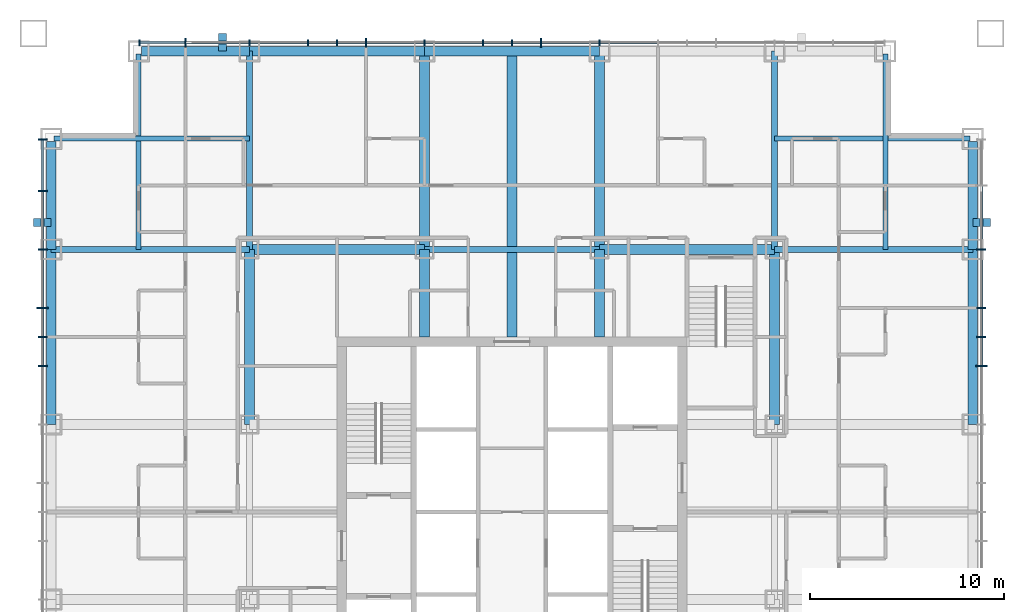
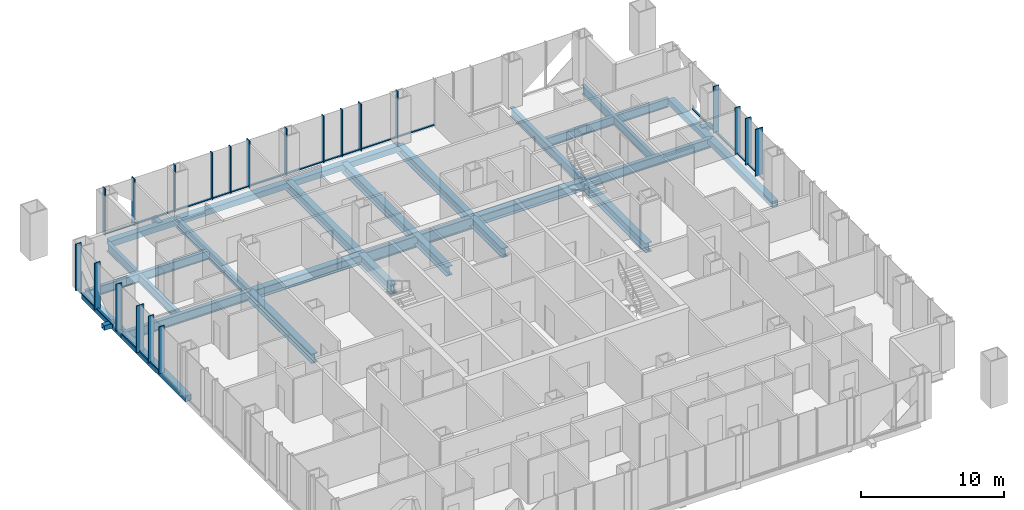
# One storey, part 5 of 18: 44 members, 25 beams, 3 elements without a shape of their own.
"""IFC4 building model written with IfcOpenShell, lengths in metres."""

from ifc_helpers import new_model, si_unit, direction, frame, origin, origin_2d, place, context, subcontext, project, spatial, rectangle, hollow_rectangle, i_section, extrude, material, layer, layer_set, material_profile, profile_set, type_object, element, aggregate, save


model = new_model("IFC4")

# Units and contexts
model_context = context("Model", 3, precision=1e-05, world=origin(), true_north=direction((0.0, 1.0)))
body_context = subcontext(model_context, "Body", "Model", "MODEL_VIEW")
ifc_project = project(units=[si_unit("LENGTHUNIT", "METRE"), si_unit("AREAUNIT", "SQUARE_METRE"), si_unit("VOLUMEUNIT", "CUBIC_METRE"), si_unit("PLANEANGLEUNIT", "RADIAN"), si_unit("MASSUNIT", "GRAM", prefix="KILO")], contexts=[model_context])

# Site, building, storey
site_placement = place(None, origin())
site = spatial("IfcSite", under=ifc_project, at=site_placement, CompositionType="ELEMENT")
building_placement = place(site_placement, origin())
building = spatial("IfcBuilding", under=site, at=building_placement, Name="Malebo Sky Hospital", CompositionType="ELEMENT")
storey_placement = place(building_placement, frame((0.0, 0.0, 132.0)))
storey = spatial("IfcBuildingStorey", under=building, at=storey_placement, Name="L31", CompositionType="ELEMENT", Elevation=132.0)

# Curtain wall, members
ifc_material_1 = material(Name="Anodised aluminium, natural silver", Category="aluminium")
ifc_layer_1 = layer(ifc_material_1, 0.25)
ifc_layer_set_1 = layer_set([ifc_layer_1], Name="WARD CURTAIN WALL NORTH AND SOUTH")
curtain_wall_type_1 = type_object("IfcCurtainWallType", Name="WARD CURTAIN WALL NORTH AND SOUTH", PredefinedType="NOTDEFINED", material=ifc_layer_set_1)
curtain_wall_1_placement = place(storey_placement, origin())
curtain_wall_1 = element("IfcCurtainWall", 1, at=curtain_wall_1_placement, inside=storey, type_object=curtain_wall_type_1, Name="NS curtain wall N", PredefinedType="NOTDEFINED")
ifc_material_profile_1 = material_profile(ifc_material_1, rectangle(XDim=0.14990234375, YDim=0.10009765625, at=origin_2d()), Name="ALUMINIUM TRANSOM 150x100")
ifc_profile_set_1 = profile_set([ifc_material_profile_1], Name="Anodised aluminium, natural silver")
member_type_1 = type_object("IfcMemberType", Name="ALUMINIUM TRANSOM 150x100", PredefinedType="USERDEFINED", material=ifc_profile_set_1)
member_1_placement = place(storey_placement, frame((40.875, 86.135009765625, 0.050048828125), z_axis=(1.0, 0.0, 0.0), x_axis=(0.0, 1.0, 0.0)))
member_1 = element("IfcMember", 2, at=member_1_placement, type_object=member_type_1, Name="Transom 1", ObjectType="TRANSOM", PredefinedType="USERDEFINED", context=body_context, shape_type="SweptSolid", body=[
    extrude(rectangle(XDim=0.14990234375, YDim=0.10009765625, at=origin_2d()), origin(), (0.0, 0.0, 1.0), 2.28759765625),
])
member_2_placement = place(storey_placement, frame((43.237548828125, 86.135009765625, 0.050048828125), z_axis=(1.0, 0.0, 0.0), x_axis=(0.0, 1.0, 0.0)))
member_2 = element("IfcMember", 3, at=member_2_placement, type_object=member_type_1, Name="Transom 2", ObjectType="TRANSOM", PredefinedType="USERDEFINED", context=body_context, shape_type="SweptSolid", body=[
    extrude(rectangle(XDim=0.14990234375, YDim=0.10009765625, at=origin_2d()), origin(), (0.0, 0.0, 1.0), 3.224853515625),
])
member_3_placement = place(storey_placement, frame((46.53759765625, 86.135009765625, 0.050048828125), z_axis=(1.0, 0.0, 0.0), x_axis=(0.0, 1.0, 0.0)))
member_3 = element("IfcMember", 4, at=member_3_placement, type_object=member_type_1, Name="Transom 3", ObjectType="TRANSOM", PredefinedType="USERDEFINED", context=body_context, shape_type="SweptSolid", body=[
    extrude(rectangle(XDim=0.14990234375, YDim=0.10009765625, at=origin_2d()), origin(), (0.0, 0.0, 1.0), 2.9248046875),
])
member_4_placement = place(storey_placement, frame((49.53759765625, 86.135009765625, 0.050048828125), z_axis=(1.0, 0.0, 0.0), x_axis=(0.0, 1.0, 0.0)))
member_4 = element("IfcMember", 5, at=member_4_placement, type_object=member_type_1, Name="Transom 4", ObjectType="TRANSOM", PredefinedType="USERDEFINED", context=body_context, shape_type="SweptSolid", body=[
    extrude(rectangle(XDim=0.14990234375, YDim=0.10009765625, at=origin_2d()), origin(), (0.0, 0.0, 1.0), 1.4248046875),
])
member_5_placement = place(storey_placement, frame((51.03759765625, 86.135009765625, 0.050048828125), z_axis=(1.0, 0.0, 0.0), x_axis=(0.0, 1.0, 0.0)))
member_5 = element("IfcMember", 6, at=member_5_placement, type_object=member_type_1, Name="Transom 5", ObjectType="TRANSOM", PredefinedType="USERDEFINED", context=body_context, shape_type="SweptSolid", body=[
    extrude(rectangle(XDim=0.14990234375, YDim=0.10009765625, at=origin_2d()), origin(), (0.0, 0.0, 1.0), 1.4248046875),
])
member_6_placement = place(storey_placement, frame((52.53759765625, 86.135009765625, 0.050048828125), z_axis=(1.0, 0.0, 0.0), x_axis=(0.0, 1.0, 0.0)))
member_6 = element("IfcMember", 7, at=member_6_placement, type_object=member_type_1, Name="Transom 6", ObjectType="TRANSOM", PredefinedType="USERDEFINED", context=body_context, shape_type="SweptSolid", body=[
    extrude(rectangle(XDim=0.14990234375, YDim=0.10009765625, at=origin_2d()), origin(), (0.0, 0.0, 1.0), 2.9248046875),
])
member_7_placement = place(storey_placement, frame((55.53759765625, 86.135009765625, 0.050048828125), z_axis=(1.0, 0.0, 0.0), x_axis=(0.0, 1.0, 0.0)))
member_7 = element("IfcMember", 8, at=member_7_placement, type_object=member_type_1, Name="Transom 7", ObjectType="TRANSOM", PredefinedType="USERDEFINED", context=body_context, shape_type="SweptSolid", body=[
    extrude(rectangle(XDim=0.14990234375, YDim=0.10009765625, at=origin_2d()), origin(), (0.0, 0.0, 1.0), 2.9248046875),
])
member_8_placement = place(storey_placement, frame((58.53759765625, 86.135009765625, 0.050048828125), z_axis=(1.0, 0.0, 0.0), x_axis=(0.0, 1.0, 0.0)))
member_8 = element("IfcMember", 9, at=member_8_placement, type_object=member_type_1, Name="Transom 8", ObjectType="TRANSOM", PredefinedType="USERDEFINED", context=body_context, shape_type="SweptSolid", body=[
    extrude(rectangle(XDim=0.14990234375, YDim=0.10009765625, at=origin_2d()), origin(), (0.0, 0.0, 1.0), 1.4248046875),
])
member_9_placement = place(storey_placement, frame((60.03759765625, 86.135009765625, 0.050048828125), z_axis=(1.0, 0.0, 0.0), x_axis=(0.0, 1.0, 0.0)))
member_9 = element("IfcMember", 10, at=member_9_placement, type_object=member_type_1, Name="Transom 9", ObjectType="TRANSOM", PredefinedType="USERDEFINED", context=body_context, shape_type="SweptSolid", body=[
    extrude(rectangle(XDim=0.14990234375, YDim=0.10009765625, at=origin_2d()), origin(), (0.0, 0.0, 1.0), 1.4248046875),
])
member_10_placement = place(storey_placement, frame((61.53759765625, 86.135009765625, 0.050048828125), z_axis=(1.0, 0.0, 0.0), x_axis=(0.0, 1.0, 0.0)))
member_10 = element("IfcMember", 11, at=member_10_placement, type_object=member_type_1, Name="Transom 10", ObjectType="TRANSOM", PredefinedType="USERDEFINED", context=body_context, shape_type="SweptSolid", body=[
    extrude(rectangle(XDim=0.14990234375, YDim=0.10009765625, at=origin_2d()), origin(), (0.0, 0.0, 1.0), 2.9248046875),
])
member_11_placement = place(storey_placement, frame((64.53759765625, 86.135009765625, 0.050048828125), z_axis=(1.0, 0.0, 0.0), x_axis=(0.0, 1.0, 0.0)))
member_11 = element("IfcMember", 12, at=member_11_placement, type_object=member_type_1, Name="Transom 11", ObjectType="TRANSOM", PredefinedType="USERDEFINED", context=body_context, shape_type="SweptSolid", body=[
    extrude(rectangle(XDim=0.14990234375, YDim=0.10009765625, at=origin_2d()), origin(), (0.0, 0.0, 1.0), 2.9248046875),
])

ifc_layer_2 = layer(ifc_material_1, 0.25)
ifc_layer_set_2 = layer_set([ifc_layer_2], Name="WARD CURTAIN WALL EAST AND WEST")
curtain_wall_type_2 = type_object("IfcCurtainWallType", Name="WARD CURTAIN WALL EAST AND WEST", PredefinedType="NOTDEFINED", material=ifc_layer_set_2)
curtain_wall_2_placement = place(storey_placement, origin())
curtain_wall_2 = element("IfcCurtainWall", 13, at=curtain_wall_2_placement, inside=storey, type_object=curtain_wall_type_2, Name="EW curtain wall W", PredefinedType="NOTDEFINED")
member_12_placement = place(storey_placement, frame((35.864990234375, 69.53759765625, 0.050048828125), z_axis=(0.0, 1.0, 0.0), x_axis=(-1.0, 0.0, 0.0)))
member_12 = element("IfcMember", 14, at=member_12_placement, type_object=member_type_1, Name="Transom 12", ObjectType="TRANSOM", PredefinedType="USERDEFINED", context=body_context, shape_type="SweptSolid", body=[
    extrude(rectangle(XDim=0.14990234375, YDim=0.10009765625, at=origin_2d()), origin(), (0.0, 0.0, 1.0), 1.4248046875),
])
member_13_placement = place(storey_placement, frame((35.864990234375, 71.03759765625, 0.050048828125), z_axis=(0.0, 1.0, 0.0), x_axis=(-1.0, 0.0, 0.0)))
member_13 = element("IfcMember", 15, at=member_13_placement, type_object=member_type_1, Name="Transom 13", ObjectType="TRANSOM", PredefinedType="USERDEFINED", context=body_context, shape_type="SweptSolid", body=[
    extrude(rectangle(XDim=0.14990234375, YDim=0.10009765625, at=origin_2d()), origin(), (0.0, 0.0, 1.0), 1.4248046875),
])
member_14_placement = place(storey_placement, frame((35.864990234375, 72.53759765625, 0.050048828125), z_axis=(0.0, 1.0, 0.0), x_axis=(-1.0, 0.0, 0.0)))
member_14 = element("IfcMember", 16, at=member_14_placement, type_object=member_type_1, Name="Transom 14", ObjectType="TRANSOM", PredefinedType="USERDEFINED", context=body_context, shape_type="SweptSolid", body=[
    extrude(rectangle(XDim=0.14990234375, YDim=0.10009765625, at=origin_2d()), origin(), (0.0, 0.0, 1.0), 2.9248046875),
])
member_15_placement = place(storey_placement, frame((35.864990234375, 75.53759765625, 0.050048828125), z_axis=(0.0, 1.0, 0.0), x_axis=(-1.0, 0.0, 0.0)))
member_15 = element("IfcMember", 17, at=member_15_placement, type_object=member_type_1, Name="Transom 15", ObjectType="TRANSOM", PredefinedType="USERDEFINED", context=body_context, shape_type="SweptSolid", body=[
    extrude(rectangle(XDim=0.14990234375, YDim=0.10009765625, at=origin_2d()), origin(), (0.0, 0.0, 1.0), 2.9248046875),
])
member_16_placement = place(storey_placement, frame((35.864990234375, 78.53759765625, 0.050048828125), z_axis=(0.0, 1.0, 0.0), x_axis=(-1.0, 0.0, 0.0)))
member_16 = element("IfcMember", 18, at=member_16_placement, type_object=member_type_1, Name="Transom 16", ObjectType="TRANSOM", PredefinedType="USERDEFINED", context=body_context, shape_type="SweptSolid", body=[
    extrude(rectangle(XDim=0.14990234375, YDim=0.10009765625, at=origin_2d()), origin(), (0.0, 0.0, 1.0), 2.58740234375),
])

curtain_wall_3_placement = place(storey_placement, origin())
curtain_wall_3 = element("IfcCurtainWall", 19, at=curtain_wall_3_placement, inside=storey, type_object=curtain_wall_type_2, Name="EW curtain wall E", PredefinedType="NOTDEFINED")
member_17_placement = place(storey_placement, frame((84.135009765625, 78.762451171875, 0.050048828125), z_axis=(0.0, -1.0, 0.0), x_axis=(1.0, 0.0, 0.0)))
member_17 = element("IfcMember", 20, at=member_17_placement, type_object=member_type_1, Name="Transom 2", ObjectType="TRANSOM", PredefinedType="USERDEFINED", context=body_context, shape_type="SweptSolid", body=[
    extrude(rectangle(XDim=0.14990234375, YDim=0.10009765625, at=origin_2d()), origin(), (0.0, 0.0, 1.0), 3.224853515625),
])
member_18_placement = place(storey_placement, frame((84.135009765625, 75.46240234375, 0.050048828125), z_axis=(0.0, -1.0, 0.0), x_axis=(1.0, 0.0, 0.0)))
member_18 = element("IfcMember", 21, at=member_18_placement, type_object=member_type_1, Name="Transom 3", ObjectType="TRANSOM", PredefinedType="USERDEFINED", context=body_context, shape_type="SweptSolid", body=[
    extrude(rectangle(XDim=0.14990234375, YDim=0.10009765625, at=origin_2d()), origin(), (0.0, 0.0, 1.0), 2.9248046875),
])
member_19_placement = place(storey_placement, frame((84.135009765625, 72.46240234375, 0.050048828125), z_axis=(0.0, -1.0, 0.0), x_axis=(1.0, 0.0, 0.0)))
member_19 = element("IfcMember", 22, at=member_19_placement, type_object=member_type_1, Name="Transom 4", ObjectType="TRANSOM", PredefinedType="USERDEFINED", context=body_context, shape_type="SweptSolid", body=[
    extrude(rectangle(XDim=0.14990234375, YDim=0.10009765625, at=origin_2d()), origin(), (0.0, 0.0, 1.0), 1.4248046875),
])
member_20_placement = place(storey_placement, frame((84.135009765625, 70.96240234375, 0.050048828125), z_axis=(0.0, -1.0, 0.0), x_axis=(1.0, 0.0, 0.0)))
member_20 = element("IfcMember", 23, at=member_20_placement, type_object=member_type_1, Name="Transom 5", ObjectType="TRANSOM", PredefinedType="USERDEFINED", context=body_context, shape_type="SweptSolid", body=[
    extrude(rectangle(XDim=0.14990234375, YDim=0.10009765625, at=origin_2d()), origin(), (0.0, 0.0, 1.0), 1.4248046875),
])

# Members
ifc_material_2 = material(Name="Steel S355", Category="steel")
ifc_material_profile_2 = material_profile(ifc_material_2, hollow_rectangle(XDim=0.39990234375, YDim=0.39990234375, WallThickness=0.02001953125, at=origin_2d()), Name="SHS 400x20")
ifc_profile_set_2 = profile_set([ifc_material_profile_2], Name="Steel S355")
member_type_2 = type_object("IfcMemberType", Name="BRACE STRUT SHS 400x20", PredefinedType="STRUT", material=ifc_profile_set_2)
for number, where, z_axis, x_axis, name in (
    (24, (45.1064453125, 86.60009765625, -0.39990234375), (0.0, -1.0, 0.0), (1.0, 0.0, 0.0), "Brace strut BN1 L31"),
    (25, (84.60009765625, 76.8935546875, -0.39990234375), (-1.0, 0.0, 0.0), (0.0, -1.0, 0.0), "Brace strut BE1 L31"),
    (26, (35.39990234375, 76.8935546875, -0.39990234375), (1.0, 0.0, 0.0), (0.0, 1.0, 0.0), "Brace strut BW2 L31"),
):
    element("IfcMember", number, at=place(storey_placement, frame(where, z_axis=z_axis, x_axis=x_axis)), inside=storey, type_object=member_type_2, Name=name, PredefinedType="STRUT", context=body_context, shape_type="SweptSolid", body=[
        extrude(hollow_rectangle(XDim=0.39990234375, YDim=0.39990234375, WallThickness=0.02001953125, at=origin_2d()), origin(), (0.0, 0.0, 1.0), 0.900146484375),
    ])

# Member
ifc_material_profile_3 = material_profile(ifc_material_1, rectangle(XDim=0.074951171875, YDim=0.300048828125, at=origin_2d()), Name="CW1 ALUMINIUM FIN MULLION 75x300")
ifc_profile_set_3 = profile_set([ifc_material_profile_3], Name="Anodised aluminium, natural silver")
member_type_3 = type_object("IfcMemberType", Name="CW1 ALUMINIUM FIN MULLION 75x300", PredefinedType="MULLION", material=ifc_profile_set_3)
member_21_placement = place(storey_placement, frame((40.83740234375, 86.135009765625, 0.0), z_axis=(0.0, 0.0, 1.0), x_axis=(1.0, 0.0, 0.0)))
member_21 = element("IfcMember", 27, at=member_21_placement, type_object=member_type_3, Name="Fin mullion 1", PredefinedType="MULLION", context=body_context, shape_type="SweptSolid", body=[
    extrude(rectangle(XDim=0.074951171875, YDim=0.300048828125, at=origin_2d()), origin(), (0.0, 0.0, 1.0), 4.0),
])

member_22_placement = place(storey_placement, frame((46.5, 86.135009765625, 0.0), z_axis=(0.0, 0.0, 1.0), x_axis=(1.0, 0.0, 0.0)))
member_22 = element("IfcMember", 28, at=member_22_placement, type_object=member_type_3, Name="Fin mullion 3", PredefinedType="MULLION", context=body_context, shape_type="SweptSolid", body=[
    extrude(rectangle(XDim=0.074951171875, YDim=0.300048828125, at=origin_2d()), origin(), (0.0, 0.0, 1.0), 4.0),
])

member_23_placement = place(storey_placement, frame((49.5, 86.135009765625, 0.0), z_axis=(0.0, 0.0, 1.0), x_axis=(1.0, 0.0, 0.0)))
member_23 = element("IfcMember", 29, at=member_23_placement, type_object=member_type_3, Name="Fin mullion 4", PredefinedType="MULLION", context=body_context, shape_type="SweptSolid", body=[
    extrude(rectangle(XDim=0.074951171875, YDim=0.300048828125, at=origin_2d()), origin(), (0.0, 0.0, 1.0), 4.0),
])

member_24_placement = place(storey_placement, frame((51.0, 86.135009765625, 0.0), z_axis=(0.0, 0.0, 1.0), x_axis=(1.0, 0.0, 0.0)))
member_24 = element("IfcMember", 30, at=member_24_placement, type_object=member_type_3, Name="Fin mullion 5", PredefinedType="MULLION", context=body_context, shape_type="SweptSolid", body=[
    extrude(rectangle(XDim=0.074951171875, YDim=0.300048828125, at=origin_2d()), origin(), (0.0, 0.0, 1.0), 4.0),
])

member_25_placement = place(storey_placement, frame((55.5, 86.135009765625, 0.0), z_axis=(0.0, 0.0, 1.0), x_axis=(1.0, 0.0, 0.0)))
member_25 = element("IfcMember", 31, at=member_25_placement, type_object=member_type_3, Name="Fin mullion 7", PredefinedType="MULLION", context=body_context, shape_type="SweptSolid", body=[
    extrude(rectangle(XDim=0.074951171875, YDim=0.300048828125, at=origin_2d()), origin(), (0.0, 0.0, 1.0), 4.0),
])

member_26_placement = place(storey_placement, frame((58.5, 86.135009765625, 0.0), z_axis=(0.0, 0.0, 1.0), x_axis=(1.0, 0.0, 0.0)))
member_26 = element("IfcMember", 32, at=member_26_placement, type_object=member_type_3, Name="Fin mullion 8", PredefinedType="MULLION", context=body_context, shape_type="SweptSolid", body=[
    extrude(rectangle(XDim=0.074951171875, YDim=0.300048828125, at=origin_2d()), origin(), (0.0, 0.0, 1.0), 4.0),
])

member_27_placement = place(storey_placement, frame((60.0, 86.135009765625, 0.0), z_axis=(0.0, 0.0, 1.0), x_axis=(1.0, 0.0, 0.0)))
member_27 = element("IfcMember", 33, at=member_27_placement, type_object=member_type_3, Name="Fin mullion 9", PredefinedType="MULLION", context=body_context, shape_type="SweptSolid", body=[
    extrude(rectangle(XDim=0.074951171875, YDim=0.300048828125, at=origin_2d()), origin(), (0.0, 0.0, 1.0), 4.0),
])

member_28_placement = place(storey_placement, frame((64.5, 86.135009765625, 0.0), z_axis=(0.0, 0.0, 1.0), x_axis=(1.0, 0.0, 0.0)))
member_28 = element("IfcMember", 34, at=member_28_placement, type_object=member_type_3, Name="Fin mullion 11", PredefinedType="MULLION", context=body_context, shape_type="SweptSolid", body=[
    extrude(rectangle(XDim=0.074951171875, YDim=0.300048828125, at=origin_2d()), origin(), (0.0, 0.0, 1.0), 4.0),
])

ifc_material_profile_4 = material_profile(ifc_material_1, rectangle(XDim=0.074951171875, YDim=0.449951171875, at=origin_2d()), Name="CW1 ALUMINIUM FIN MULLION 75x450")
ifc_profile_set_4 = profile_set([ifc_material_profile_4], Name="Anodised aluminium, natural silver")
member_type_4 = type_object("IfcMemberType", Name="CW1 ALUMINIUM FIN MULLION 75x450", PredefinedType="MULLION", material=ifc_profile_set_4)
member_29_placement = place(storey_placement, frame((43.199951171875, 86.135009765625, 0.0), z_axis=(0.0, 0.0, 1.0), x_axis=(1.0, 0.0, 0.0)))
member_29 = element("IfcMember", 35, at=member_29_placement, type_object=member_type_4, Name="Fin mullion 2", PredefinedType="MULLION", context=body_context, shape_type="SweptSolid", body=[
    extrude(rectangle(XDim=0.074951171875, YDim=0.449951171875, at=origin_2d()), origin(), (0.0, 0.0, 1.0), 4.0),
])

member_30_placement = place(storey_placement, frame((52.5, 86.135009765625, 0.0), z_axis=(0.0, 0.0, 1.0), x_axis=(1.0, 0.0, 0.0)))
member_30 = element("IfcMember", 36, at=member_30_placement, type_object=member_type_4, Name="Fin mullion 6", PredefinedType="MULLION", context=body_context, shape_type="SweptSolid", body=[
    extrude(rectangle(XDim=0.074951171875, YDim=0.449951171875, at=origin_2d()), origin(), (0.0, 0.0, 1.0), 4.0),
])

member_31_placement = place(storey_placement, frame((61.5, 86.135009765625, 0.0), z_axis=(0.0, 0.0, 1.0), x_axis=(1.0, 0.0, 0.0)))
member_31 = element("IfcMember", 37, at=member_31_placement, type_object=member_type_4, Name="Fin mullion 10", PredefinedType="MULLION", context=body_context, shape_type="SweptSolid", body=[
    extrude(rectangle(XDim=0.074951171875, YDim=0.449951171875, at=origin_2d()), origin(), (0.0, 0.0, 1.0), 4.0),
])

aggregate(curtain_wall_1, [member_21, member_29, member_22, member_23, member_24, member_30, member_25, member_26, member_27, member_31, member_28, member_1, member_2, member_3, member_4, member_5, member_6, member_7, member_8, member_9, member_10, member_11])

ifc_material_profile_5 = material_profile(ifc_material_1, rectangle(XDim=0.074951171875, YDim=0.449951171875, at=origin_2d()), Name="CW2 ALUMINIUM FIN MULLION 75x450")
ifc_profile_set_5 = profile_set([ifc_material_profile_5], Name="Anodised aluminium, natural silver")
member_type_5 = type_object("IfcMemberType", Name="CW2 ALUMINIUM FIN MULLION 75x450", PredefinedType="MULLION", material=ifc_profile_set_5)
member_32_placement = place(storey_placement, frame((35.864990234375, 69.5, 0.0), z_axis=(0.0, 0.0, 1.0), x_axis=(0.0, 1.0, 0.0)))
member_32 = element("IfcMember", 38, at=member_32_placement, type_object=member_type_5, Name="Fin mullion 12", PredefinedType="MULLION", context=body_context, shape_type="SweptSolid", body=[
    extrude(rectangle(XDim=0.074951171875, YDim=0.449951171875, at=origin_2d()), origin(), (0.0, 0.0, 1.0), 4.0),
])

member_33_placement = place(storey_placement, frame((35.864990234375, 71.0, 0.0), z_axis=(0.0, 0.0, 1.0), x_axis=(0.0, 1.0, 0.0)))
member_33 = element("IfcMember", 39, at=member_33_placement, type_object=member_type_5, Name="Fin mullion 13", PredefinedType="MULLION", context=body_context, shape_type="SweptSolid", body=[
    extrude(rectangle(XDim=0.074951171875, YDim=0.449951171875, at=origin_2d()), origin(), (0.0, 0.0, 1.0), 4.0),
])

member_34_placement = place(storey_placement, frame((35.864990234375, 75.5, 0.0), z_axis=(0.0, 0.0, 1.0), x_axis=(0.0, 1.0, 0.0)))
member_34 = element("IfcMember", 40, at=member_34_placement, type_object=member_type_5, Name="Fin mullion 15", PredefinedType="MULLION", context=body_context, shape_type="SweptSolid", body=[
    extrude(rectangle(XDim=0.074951171875, YDim=0.449951171875, at=origin_2d()), origin(), (0.0, 0.0, 1.0), 4.0),
])

member_35_placement = place(storey_placement, frame((35.864990234375, 78.5, 0.0), z_axis=(0.0, 0.0, 1.0), x_axis=(0.0, 1.0, 0.0)))
member_35 = element("IfcMember", 41, at=member_35_placement, type_object=member_type_5, Name="Fin mullion 16", PredefinedType="MULLION", context=body_context, shape_type="SweptSolid", body=[
    extrude(rectangle(XDim=0.074951171875, YDim=0.449951171875, at=origin_2d()), origin(), (0.0, 0.0, 1.0), 4.0),
])

member_36_placement = place(storey_placement, frame((35.864990234375, 81.16259765625, 0.0), z_axis=(0.0, 0.0, 1.0), x_axis=(0.0, 1.0, 0.0)))
member_36 = element("IfcMember", 42, at=member_36_placement, type_object=member_type_5, Name="Fin mullion 17", PredefinedType="MULLION", context=body_context, shape_type="SweptSolid", body=[
    extrude(rectangle(XDim=0.074951171875, YDim=0.449951171875, at=origin_2d()), origin(), (0.0, 0.0, 1.0), 4.0),
])

member_37_placement = place(storey_placement, frame((84.135009765625, 75.5, 0.0), z_axis=(0.0, 0.0, 1.0), x_axis=(0.0, -1.0, 0.0)))
member_37 = element("IfcMember", 43, at=member_37_placement, type_object=member_type_5, Name="Fin mullion 3", PredefinedType="MULLION", context=body_context, shape_type="SweptSolid", body=[
    extrude(rectangle(XDim=0.074951171875, YDim=0.449951171875, at=origin_2d()), origin(), (0.0, 0.0, 1.0), 4.0),
])

member_38_placement = place(storey_placement, frame((84.135009765625, 72.5, 0.0), z_axis=(0.0, 0.0, 1.0), x_axis=(0.0, -1.0, 0.0)))
member_38 = element("IfcMember", 44, at=member_38_placement, type_object=member_type_5, Name="Fin mullion 4", PredefinedType="MULLION", context=body_context, shape_type="SweptSolid", body=[
    extrude(rectangle(XDim=0.074951171875, YDim=0.449951171875, at=origin_2d()), origin(), (0.0, 0.0, 1.0), 4.0),
])

member_39_placement = place(storey_placement, frame((84.135009765625, 71.0, 0.0), z_axis=(0.0, 0.0, 1.0), x_axis=(0.0, -1.0, 0.0)))
member_39 = element("IfcMember", 45, at=member_39_placement, type_object=member_type_5, Name="Fin mullion 5", PredefinedType="MULLION", context=body_context, shape_type="SweptSolid", body=[
    extrude(rectangle(XDim=0.074951171875, YDim=0.449951171875, at=origin_2d()), origin(), (0.0, 0.0, 1.0), 4.0),
])

ifc_material_profile_6 = material_profile(ifc_material_1, rectangle(XDim=0.074951171875, YDim=0.60009765625, at=origin_2d()), Name="CW2 ALUMINIUM FIN MULLION 75x600")
ifc_profile_set_6 = profile_set([ifc_material_profile_6], Name="Anodised aluminium, natural silver")
member_type_6 = type_object("IfcMemberType", Name="CW2 ALUMINIUM FIN MULLION 75x600", PredefinedType="MULLION", material=ifc_profile_set_6)
member_40_placement = place(storey_placement, frame((35.864990234375, 72.5, 0.0), z_axis=(0.0, 0.0, 1.0), x_axis=(0.0, 1.0, 0.0)))
member_40 = element("IfcMember", 46, at=member_40_placement, type_object=member_type_6, Name="Fin mullion 14", PredefinedType="MULLION", context=body_context, shape_type="SweptSolid", body=[
    extrude(rectangle(XDim=0.074951171875, YDim=0.60009765625, at=origin_2d()), origin(), (0.0, 0.0, 1.0), 4.0),
])

aggregate(curtain_wall_2, [member_32, member_33, member_40, member_34, member_35, member_36, member_12, member_13, member_14, member_15, member_16])

member_41_placement = place(storey_placement, frame((84.135009765625, 69.5, 0.0), z_axis=(0.0, 0.0, 1.0), x_axis=(0.0, -1.0, 0.0)))
member_41 = element("IfcMember", 47, at=member_41_placement, type_object=member_type_6, Name="Fin mullion 6", PredefinedType="MULLION", context=body_context, shape_type="SweptSolid", body=[
    extrude(rectangle(XDim=0.074951171875, YDim=0.60009765625, at=origin_2d()), origin(), (0.0, 0.0, 1.0), 4.0),
])

aggregate(curtain_wall_3, [member_37, member_38, member_39, member_41, member_17, member_18, member_19, member_20])

# Beams
ifc_material_3 = material(Name="Steel S460", Category="steel")
ifc_material_profile_7 = material_profile(ifc_material_3, hollow_rectangle(XDim=0.5, YDim=0.5, WallThickness=0.030029296875, at=origin_2d()), Name="BOX 500x500x30")
ifc_profile_set_7 = profile_set([ifc_material_profile_7], Name="Steel S460")
beam_type_1 = type_object("IfcBeamType", Name="EDGE BEAM BOX 500x500x30", PredefinedType="BEAM", material=ifc_profile_set_7)
beam_1_placement = place(storey_placement, frame((36.300048828125, 66.5, -0.5), z_axis=(0.0, 1.0, 0.0), x_axis=(-1.0, 0.0, 0.0)))
element("IfcBeam", 48, at=beam_1_placement, inside=storey, type_object=beam_type_1, Name="Beam 003 L31", PredefinedType="BEAM", context=body_context, shape_type="SweptSolid", body=[
    extrude(hollow_rectangle(XDim=0.5, YDim=0.5, WallThickness=0.030029296875, at=origin_2d()), origin(), (0.0, 0.0, 1.0), 9.0),
])
beam_2_placement = place(storey_placement, frame((36.300048828125, 75.5, -0.5), z_axis=(0.0, 1.0, 0.0), x_axis=(-1.0, 0.0, 0.0)))
element("IfcBeam", 49, at=beam_2_placement, inside=storey, type_object=beam_type_1, Name="Beam 004 L31", PredefinedType="BEAM", context=body_context, shape_type="SweptSolid", body=[
    extrude(hollow_rectangle(XDim=0.5, YDim=0.5, WallThickness=0.030029296875, at=origin_2d()), origin(), (0.0, 0.0, 1.0), 5.550048828125),
])
beam_3_placement = place(storey_placement, frame((83.699951171875, 66.5, -0.5), z_axis=(0.0, 1.0, 0.0), x_axis=(-1.0, 0.0, 0.0)))
element("IfcBeam", 50, at=beam_3_placement, inside=storey, type_object=beam_type_1, Name="Beam 032 L31", PredefinedType="BEAM", context=body_context, shape_type="SweptSolid", body=[
    extrude(hollow_rectangle(XDim=0.5, YDim=0.5, WallThickness=0.030029296875, at=origin_2d()), origin(), (0.0, 0.0, 1.0), 9.0),
])
for number, where, z_axis, x_axis, name in (
    (51, (83.699951171875, 75.5, -0.5), (0.0, 1.0, 0.0), (-1.0, 0.0, 0.0), "Beam 033 L31"),
    (52, (40.949951171875, 85.699951171875, -0.5), (1.0, 0.0, 0.0), (0.0, 1.0, 0.0), "Beam 063 L31"),
):
    element("IfcBeam", number, at=place(storey_placement, frame(where, z_axis=z_axis, x_axis=x_axis)), inside=storey, type_object=beam_type_1, Name=name, PredefinedType="BEAM", context=body_context, shape_type="SweptSolid", body=[
        extrude(hollow_rectangle(XDim=0.5, YDim=0.5, WallThickness=0.030029296875, at=origin_2d()), origin(), (0.0, 0.0, 1.0), 5.550048828125),
    ])
for number, where, z_axis, x_axis, name in (
    (53, (46.5, 85.699951171875, -0.5), (1.0, 0.0, 0.0), (0.0, 1.0, 0.0), "Beam 064 L31"),
    (54, (55.5, 85.699951171875, -0.5), (1.0, 0.0, 0.0), (0.0, 1.0, 0.0), "Beam 065 L31"),
):
    element("IfcBeam", number, at=place(storey_placement, frame(where, z_axis=z_axis, x_axis=x_axis)), inside=storey, type_object=beam_type_1, Name=name, PredefinedType="BEAM", context=body_context, shape_type="SweptSolid", body=[
        extrude(hollow_rectangle(XDim=0.5, YDim=0.5, WallThickness=0.030029296875, at=origin_2d()), origin(), (0.0, 0.0, 1.0), 9.0),
    ])
ifc_material_profile_8 = material_profile(ifc_material_2, i_section(OverallWidth=0.262939453125, OverallDepth=0.7529296875, WebThickness=0.011474609375, FlangeThickness=0.01708984375, FilletRadius=0.01708984375, at=origin_2d()), Name="IPE 750x137")
ifc_profile_set_8 = profile_set([ifc_material_profile_8], Name="Steel S355")
beam_type_2 = type_object("IfcBeamType", Name="FLOOR BEAM IPE 750x137", PredefinedType="BEAM", material=ifc_profile_set_8)
for number, where, z_axis, x_axis, name in (
    (55, (40.800048828125, 75.5, -0.62646484375), (0.0, 1.0, 0.0), (-1.0, 0.0, 0.0), "Beam 006 L31"),
    (56, (79.199951171875, 75.5, -0.62646484375), (0.0, 1.0, 0.0), (-1.0, 0.0, 0.0), "Beam 028 L31"),
    (57, (36.449951171875, 81.199951171875, -0.62646484375), (1.0, 0.0, 0.0), (0.0, 1.0, 0.0), "Beam 061 L31"),
    (58, (73.5, 81.199951171875, -0.62646484375), (1.0, 0.0, 0.0), (0.0, 1.0, 0.0), "Beam 062 L31"),
):
    element("IfcBeam", number, at=place(storey_placement, frame(where, z_axis=z_axis, x_axis=x_axis)), inside=storey, type_object=beam_type_2, Name=name, PredefinedType="BEAM", context=body_context, shape_type="SweptSolid", body=[
        extrude(i_section(OverallWidth=0.262939453125, OverallDepth=0.7529296875, WebThickness=0.011474609375, FlangeThickness=0.01708984375, FilletRadius=0.01708984375, at=origin_2d()), origin(), (0.0, 0.0, 1.0), 10.050048828125),
    ])
ifc_material_profile_9 = material_profile(ifc_material_2, i_section(OverallWidth=0.5, OverallDepth=0.800048828125, WebThickness=0.030029296875, FlangeThickness=0.050048828125, at=origin_2d()), Name="PG 800x500x30x50")
ifc_profile_set_9 = profile_set([ifc_material_profile_9], Name="Steel S355")
beam_type_3 = type_object("IfcBeamType", Name="FLOOR BEAM PG 800x500x30x50", PredefinedType="BEAM", material=ifc_profile_set_9)
beam_4_placement = place(storey_placement, frame((46.5, 66.5, -0.64990234375), z_axis=(0.0, 1.0, 0.0), x_axis=(-1.0, 0.0, 0.0)))
element("IfcBeam", 59, at=beam_4_placement, inside=storey, type_object=beam_type_3, Name="Beam 010 L31", PredefinedType="BEAM", context=body_context, shape_type="SweptSolid", body=[
    extrude(i_section(OverallWidth=0.5, OverallDepth=0.800048828125, WebThickness=0.030029296875, FlangeThickness=0.050048828125, at=origin_2d()), origin(), (0.0, 0.0, 1.0), 9.0),
])
beam_5_placement = place(storey_placement, frame((55.5, 71.0, -0.64990234375), z_axis=(0.0, 1.0, 0.0), x_axis=(-1.0, 0.0, 0.0)))
element("IfcBeam", 60, at=beam_5_placement, inside=storey, type_object=beam_type_3, Name="Beam 014 L31", PredefinedType="BEAM", context=body_context, shape_type="SweptSolid", body=[
    extrude(i_section(OverallWidth=0.5, OverallDepth=0.800048828125, WebThickness=0.030029296875, FlangeThickness=0.050048828125, at=origin_2d()), origin(), (0.0, 0.0, 1.0), 4.5),
])
beam_6_placement = place(storey_placement, frame((55.5, 75.5, -0.64990234375), z_axis=(0.0, 1.0, 0.0), x_axis=(-1.0, 0.0, 0.0)))
element("IfcBeam", 61, at=beam_6_placement, inside=storey, type_object=beam_type_3, Name="Beam 015 L31", PredefinedType="BEAM", context=body_context, shape_type="SweptSolid", body=[
    extrude(i_section(OverallWidth=0.5, OverallDepth=0.800048828125, WebThickness=0.030029296875, FlangeThickness=0.050048828125, at=origin_2d()), origin(), (0.0, 0.0, 1.0), 10.199951171875),
])
beam_7_placement = place(storey_placement, frame((60.0, 71.0, -0.64990234375), z_axis=(0.0, 1.0, 0.0), x_axis=(-1.0, 0.0, 0.0)))
element("IfcBeam", 62, at=beam_7_placement, inside=storey, type_object=beam_type_3, Name="Beam 017 L31", PredefinedType="BEAM", context=body_context, shape_type="SweptSolid", body=[
    extrude(i_section(OverallWidth=0.5, OverallDepth=0.800048828125, WebThickness=0.030029296875, FlangeThickness=0.050048828125, at=origin_2d()), origin(), (0.0, 0.0, 1.0), 14.699951171875),
])
beam_8_placement = place(storey_placement, frame((64.5, 71.0, -0.64990234375), z_axis=(0.0, 1.0, 0.0), x_axis=(-1.0, 0.0, 0.0)))
element("IfcBeam", 63, at=beam_8_placement, inside=storey, type_object=beam_type_3, Name="Beam 020 L31", PredefinedType="BEAM", context=body_context, shape_type="SweptSolid", body=[
    extrude(i_section(OverallWidth=0.5, OverallDepth=0.800048828125, WebThickness=0.030029296875, FlangeThickness=0.050048828125, at=origin_2d()), origin(), (0.0, 0.0, 1.0), 4.5),
])
beam_9_placement = place(storey_placement, frame((64.5, 75.5, -0.64990234375), z_axis=(0.0, 1.0, 0.0), x_axis=(-1.0, 0.0, 0.0)))
element("IfcBeam", 64, at=beam_9_placement, inside=storey, type_object=beam_type_3, Name="Beam 021 L31", PredefinedType="BEAM", context=body_context, shape_type="SweptSolid", body=[
    extrude(i_section(OverallWidth=0.5, OverallDepth=0.800048828125, WebThickness=0.030029296875, FlangeThickness=0.050048828125, at=origin_2d()), origin(), (0.0, 0.0, 1.0), 10.199951171875),
])
for number, where, z_axis, x_axis, name in (
    (65, (73.5, 66.5, -0.64990234375), (0.0, 1.0, 0.0), (-1.0, 0.0, 0.0), "Beam 025 L31"),
    (66, (46.5, 75.5, -0.64990234375), (1.0, 0.0, 0.0), (0.0, 1.0, 0.0), "Beam 057 L31"),
    (67, (64.5, 75.5, -0.64990234375), (1.0, 0.0, 0.0), (0.0, 1.0, 0.0), "Beam 059 L31"),
):
    element("IfcBeam", number, at=place(storey_placement, frame(where, z_axis=z_axis, x_axis=x_axis)), inside=storey, type_object=beam_type_3, Name=name, PredefinedType="BEAM", context=body_context, shape_type="SweptSolid", body=[
        extrude(i_section(OverallWidth=0.5, OverallDepth=0.800048828125, WebThickness=0.030029296875, FlangeThickness=0.050048828125, at=origin_2d()), origin(), (0.0, 0.0, 1.0), 9.0),
    ])
ifc_material_profile_10 = material_profile(ifc_material_2, i_section(OverallWidth=0.300048828125, OverallDepth=0.800048828125, WebThickness=0.017578125, FlangeThickness=0.032958984375, FilletRadius=0.030029296875, at=origin_2d()), Name="HEB 800")
ifc_profile_set_10 = profile_set([ifc_material_profile_10], Name="Steel S355")
beam_type_4 = type_object("IfcBeamType", Name="FLOOR GIRDER HEB 800", PredefinedType="BEAM", material=ifc_profile_set_10)
for number, where, z_axis, x_axis, name in (
    (68, (46.5, 75.5, -0.64990234375), (0.0, 1.0, 0.0), (-1.0, 0.0, 0.0), "Beam 011 L31"),
    (69, (73.5, 75.5, -0.64990234375), (0.0, 1.0, 0.0), (-1.0, 0.0, 0.0), "Beam 026 L31"),
    (70, (36.300048828125, 75.5, -0.64990234375), (1.0, 0.0, 0.0), (0.0, 1.0, 0.0), "Beam 056 L31"),
    (71, (73.5, 75.5, -0.64990234375), (1.0, 0.0, 0.0), (0.0, 1.0, 0.0), "Beam 060 L31"),
):
    element("IfcBeam", number, at=place(storey_placement, frame(where, z_axis=z_axis, x_axis=x_axis)), inside=storey, type_object=beam_type_4, Name=name, PredefinedType="BEAM", context=body_context, shape_type="SweptSolid", body=[
        extrude(i_section(OverallWidth=0.300048828125, OverallDepth=0.800048828125, WebThickness=0.017578125, FlangeThickness=0.032958984375, FilletRadius=0.030029296875, at=origin_2d()), origin(), (0.0, 0.0, 1.0), 10.199951171875),
    ])
ifc_material_profile_11 = material_profile(ifc_material_2, i_section(OverallWidth=0.300048828125, OverallDepth=1.0, WebThickness=0.01904296875, FlangeThickness=0.035888671875, FilletRadius=0.030029296875, at=origin_2d()), Name="HEB 1000")
ifc_profile_set_11 = profile_set([ifc_material_profile_11], Name="Steel S355")
beam_type_5 = type_object("IfcBeamType", Name="RING GIRDER HEB 1000", PredefinedType="BEAM", material=ifc_profile_set_11)
beam_10_placement = place(storey_placement, frame((55.5, 75.5, -0.75), z_axis=(1.0, 0.0, 0.0), x_axis=(0.0, 1.0, 0.0)))
element("IfcBeam", 72, at=beam_10_placement, inside=storey, type_object=beam_type_5, Name="Beam 058 L31", PredefinedType="BEAM", context=body_context, shape_type="SweptSolid", body=[
    extrude(i_section(OverallWidth=0.300048828125, OverallDepth=1.0, WebThickness=0.01904296875, FlangeThickness=0.035888671875, FilletRadius=0.030029296875, at=origin_2d()), origin(), (0.0, 0.0, 1.0), 9.0),
])

save(model, "model.ifc")
